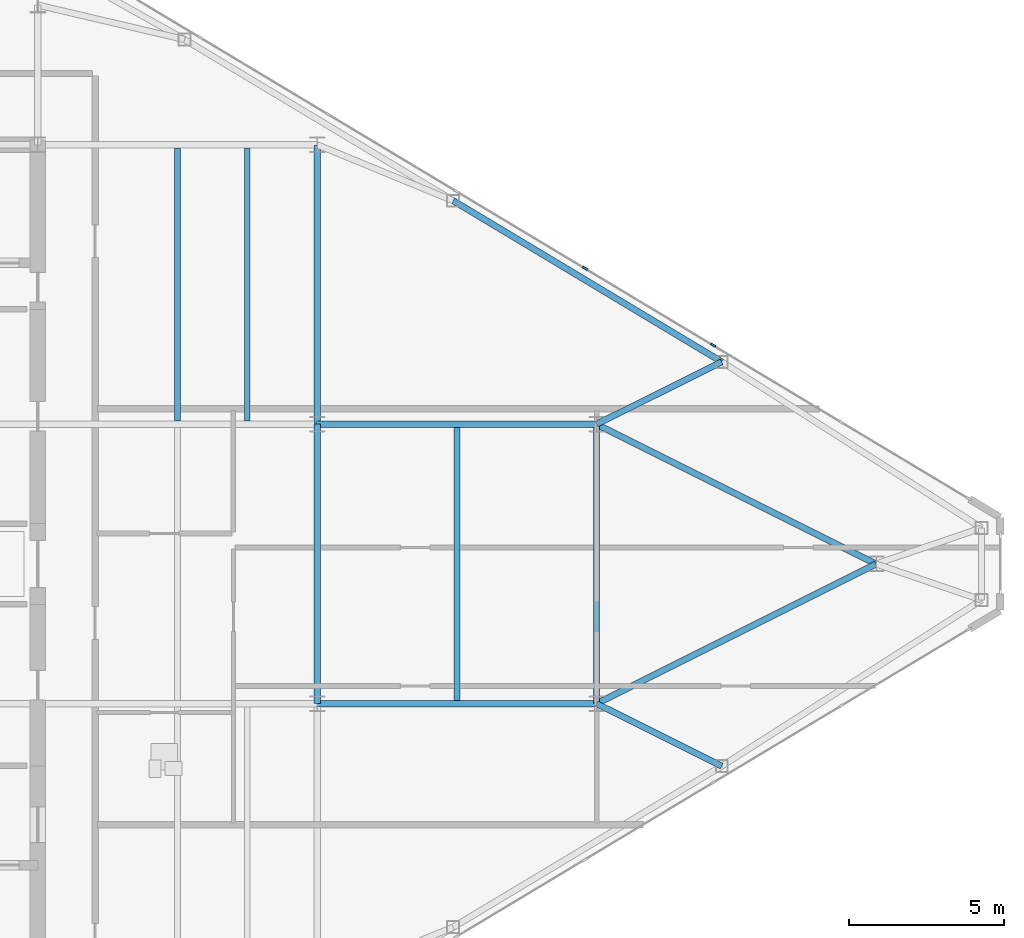
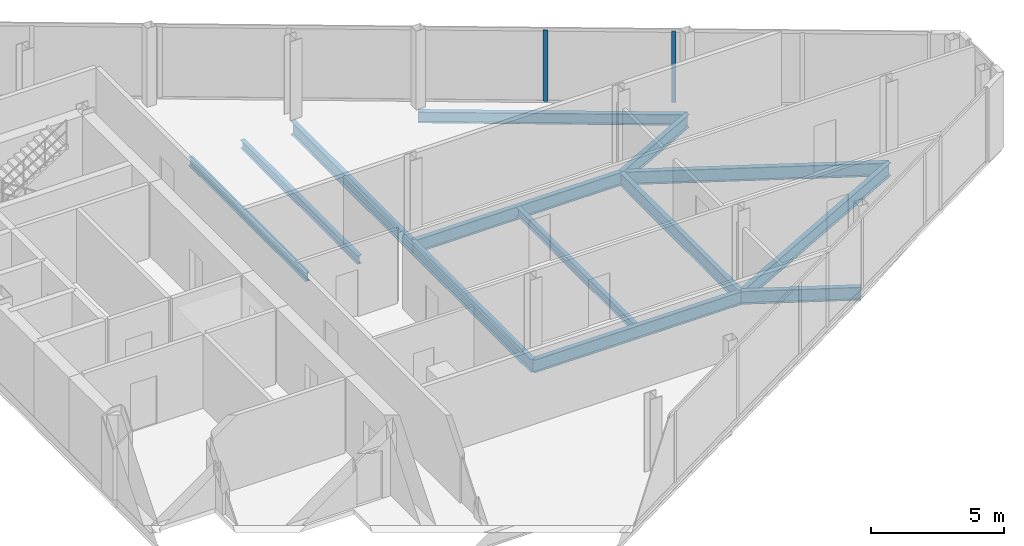
# One storey, part 14 of 25: 13 beams, 2 members, 1 element without a shape of its own.
"""IFC4 building model written with IfcOpenShell, lengths in metres."""

from ifc_helpers import new_model, si_unit, direction, frame, origin, origin_2d, place, context, subcontext, project, spatial, rectangle, i_section, extrude, source, transform, mapped, material, layer, layer_set, material_profile, profile_set, type_object, type_shapes, element, aggregate, save


model = new_model("IFC4")

# Units and contexts
model_context = context("Model", 3, precision=1e-05, world=origin(), true_north=direction((0.0, 1.0)))
body_context = subcontext(model_context, "Body", "Model", "MODEL_VIEW")
ifc_project = project(units=[si_unit("LENGTHUNIT", "METRE"), si_unit("AREAUNIT", "SQUARE_METRE"), si_unit("VOLUMEUNIT", "CUBIC_METRE"), si_unit("PLANEANGLEUNIT", "RADIAN"), si_unit("MASSUNIT", "GRAM", prefix="KILO")], contexts=[model_context])

# Site, building, storey
site_placement = place(None, origin())
site = spatial("IfcSite", under=ifc_project, at=site_placement, CompositionType="ELEMENT")
building_placement = place(site_placement, origin())
building = spatial("IfcBuilding", under=site, at=building_placement, Name="Seokmaru Belvedere", CompositionType="ELEMENT")
storey_placement = place(building_placement, frame((0.0, 0.0, 217.5)))
storey = spatial("IfcBuildingStorey", under=building, at=storey_placement, Name="L58", CompositionType="ELEMENT", Elevation=217.5)

# Beams
ifc_material_1 = material(Name="Steel SM355 (355 MPa)", Category="steel")
ifc_material_profile_1 = material_profile(ifc_material_1, i_section(OverallWidth=0.199951171875, OverallDepth=0.60009765625, WebThickness=0.010986328125, FlangeThickness=0.01708984375, at=origin_2d()), Name="H-600x200x11x17")
ifc_profile_set_1 = profile_set([ifc_material_profile_1], Name="Steel SM355 (355 MPa)")
beam_type_1 = type_object("IfcBeamType", Name="Primary Floor Girder H-600", PredefinedType="BEAM", material=ifc_profile_set_1)
shared_shape_1 = source(origin(), body_context, "Body", "SweptSolid", [
    extrude(i_section(OverallWidth=0.199951171875, OverallDepth=0.60009765625, WebThickness=0.010986328125, FlangeThickness=0.01708984375, at=origin_2d()), origin(), (0.0, 0.0, 1.0), 9.0),
])
for number, where, z_axis, x_axis, name in (
    (1, (45.5, -4.5, -0.52001953125), (0.0, 1.0, 0.0), (-1.0, 0.0, 0.0), "L58 E Interior Grid Girder 2"),
    (2, (45.5, 4.5, -0.52001953125), (0.0, 1.0, 0.0), (-1.0, 0.0, 0.0), "L58 E Interior Grid Girder 3"),
    (3, (45.5, -4.5, -0.52001953125), (1.0, 0.0, 0.0), (0.0, 1.0, 0.0), "L58 E Outer Wing Girder 1"),
    (4, (45.5, 4.5, -0.52001953125), (1.0, 0.0, 0.0), (0.0, 1.0, 0.0), "L58 E Outer Wing Girder 2"),
    (5, (54.5, -4.5, -0.52001953125), (0.0, 1.0, 0.0), (-1.0, 0.0, 0.0), "L58 E Apex Frame Girder"),
):
    element("IfcBeam", number, at=place(storey_placement, frame(where, z_axis=z_axis, x_axis=x_axis)), inside=storey, type_object=beam_type_1, Name=name, PredefinedType="BEAM", context=body_context, shape_type="MappedRepresentation", body=[
        mapped(shared_shape_1, transform((0.0, 0.0, 0.0), scale=1.0)),
    ])
shared_shape_2 = source(origin(), body_context, "Body", "SweptSolid", [
    extrude(i_section(OverallWidth=0.199951171875, OverallDepth=0.60009765625, WebThickness=0.010986328125, FlangeThickness=0.01708984375, at=origin_2d()), origin(), (0.0, 0.0, 1.0), 10.062255859375),
])
for number, where, z_axis, x_axis, name in (
    (6, (54.5, -4.5, -0.52001953125), (0.894427191, 0.4472135955, 0.0), (-0.4472135955, 0.894427191, 0.0), "L58 E Apex Converging Girder 1"),
    (7, (54.5, 4.5, -0.52001953125), (0.894427191, -0.4472135955, 0.0), (0.4472135955, 0.894427191, 0.0), "L58 E Apex Converging Girder 2"),
):
    element("IfcBeam", number, at=place(storey_placement, frame(where, z_axis=z_axis, x_axis=x_axis)), inside=storey, type_object=beam_type_1, Name=name, PredefinedType="BEAM", context=body_context, shape_type="MappedRepresentation", body=[
        mapped(shared_shape_2, transform((0.0, 0.0, 0.0), scale=1.0)),
    ])
ifc_material_profile_2 = material_profile(ifc_material_1, i_section(OverallWidth=0.18505859375, OverallDepth=0.389892578125, WebThickness=0.008056640625, FlangeThickness=0.011962890625, at=origin_2d()), Name="H-390x185x8x12")
ifc_profile_set_2 = profile_set([ifc_material_profile_2], Name="Steel SM355 (355 MPa)")
beam_type_2 = type_object("IfcBeamType", Name="Secondary Floor Joist H-350", PredefinedType="JOIST", material=ifc_profile_set_2)
shared_shape_3 = source(origin(), body_context, "Body", "SweptSolid", [
    extrude(i_section(OverallWidth=0.18505859375, OverallDepth=0.389892578125, WebThickness=0.008056640625, FlangeThickness=0.011962890625, at=origin_2d()), origin(), (0.0, 0.0, 1.0), 8.7900390625),
])
type_shapes(beam_type_2, [shared_shape_3])
for number, where, z_axis, x_axis, name in (
    (8, (43.25, 4.60498046875, -0.4150390625), (0.0, 1.0, 0.0), (-1.0, 0.0, 0.0), "L58 E Wing Inner Secondary Joist 2"),
    (9, (41.0, 4.60498046875, -0.4150390625), (0.0, 1.0, 0.0), (-1.0, 0.0, 0.0), "L58 E Secondary Floor Joist 3"),
    (10, (50.0, -4.39501953125, -0.4150390625), (0.0, 1.0, 0.0), (-1.0, 0.0, 0.0), "L58 E Outer Bay Secondary Joist"),
):
    element("IfcBeam", number, at=place(storey_placement, frame(where, z_axis=z_axis, x_axis=x_axis)), inside=storey, type_object=beam_type_2, Name=name, PredefinedType="JOIST", context=body_context, shape_type="MappedRepresentation", body=[
        mapped(shared_shape_3, transform((0.0, 0.0, 0.0), scale=1.0)),
    ])
ifc_material_profile_3 = material_profile(ifc_material_1, i_section(OverallWidth=0.199951171875, OverallDepth=0.5, WebThickness=0.010009765625, FlangeThickness=0.01611328125, at=origin_2d()), Name="H-500x200x10x16")
ifc_profile_set_3 = profile_set([ifc_material_profile_3], Name="Steel SM355 (355 MPa)")
beam_type_3 = type_object("IfcBeamType", Name="Perimeter Spandrel Beam H-500", PredefinedType="SPANDREL", material=ifc_profile_set_3)
shared_shape_4 = source(origin(), body_context, "Body", "SweptSolid", [
    extrude(i_section(OverallWidth=0.199951171875, OverallDepth=0.5, WebThickness=0.010009765625, FlangeThickness=0.01611328125, at=origin_2d()), origin(), (0.0, 0.0, 1.0), 10.087646484375),
])
type_shapes(beam_type_3, [shared_shape_4])
beam_placement = place(storey_placement, frame((49.8798828125, 11.698974609375, -0.469970703125), z_axis=(0.857488654804, -0.514502873542, 0.0), x_axis=(0.514502873542, 0.857488654804, 0.0)))
element("IfcBeam", 11, at=beam_placement, inside=storey, type_object=beam_type_3, Name="L58 E Faceted Flank Spandrel N-3", PredefinedType="SPANDREL", context=body_context, shape_type="MappedRepresentation", body=[
    mapped(shared_shape_4, transform((0.0, 0.0, 0.0), scale=1.0)),
])
shared_shape_5 = source(origin(), body_context, "Body", "SweptSolid", [
    extrude(i_section(OverallWidth=0.199951171875, OverallDepth=0.60009765625, WebThickness=0.010986328125, FlangeThickness=0.01708984375, at=origin_2d()), origin(), (0.0, 0.0, 1.0), 4.5029296875),
])
type_shapes(beam_type_1, [shared_shape_1, shared_shape_2, shared_shape_5])
for number, where, z_axis, x_axis, name in (
    (12, (58.530029296875, -6.5087890625, -0.52001953125), (-0.894979532585, 0.446107202648, 0.0), (-0.446107202648, -0.894979532585, 0.0), "L58 E Flank Radial Floor Girder S-3"),
    (13, (58.530029296875, 6.5087890625, -0.52001953125), (-0.894979532585, -0.446107202648, 0.0), (0.446107202648, -0.894979532585, 0.0), "L58 E Flank Radial Floor Girder N-3"),
):
    element("IfcBeam", number, at=place(storey_placement, frame(where, z_axis=z_axis, x_axis=x_axis)), inside=storey, type_object=beam_type_1, Name=name, PredefinedType="BEAM", context=body_context, shape_type="MappedRepresentation", body=[
        mapped(shared_shape_5, transform((0.0, 0.0, 0.0), scale=1.0)),
    ])

# Curtain wall, members
ifc_material_2 = material(Name="Bronze Triple Insulating Glass", Category="glass")
ifc_layer = layer(ifc_material_2, 0.179931640625)
ifc_layer_set = layer_set([ifc_layer], Name="Bronze Triple Insulating Glass")
curtain_wall_type = type_object("IfcCurtainWallType", Name="High-Rise Wind-Corner Curtain Wall System CW-5", PredefinedType="NOTDEFINED", material=ifc_layer_set)
curtain_wall_placement = place(storey_placement, origin())
curtain_wall = element("IfcCurtainWall", 14, at=curtain_wall_placement, inside=storey, type_object=curtain_wall_type, Name="L58 Curtain Wall EF3", PredefinedType="NOTDEFINED")
ifc_material_3 = material(Name="Anodised Bronze Aluminium", Category="aluminium")
ifc_material_profile_4 = material_profile(ifc_material_3, rectangle(XDim=0.06494140625, YDim=0.179931640625, at=origin_2d()), Name="CW-M-65x180")
ifc_profile_set_4 = profile_set([ifc_material_profile_4], Name="Anodised Bronze Aluminium")
member_type = type_object("IfcMemberType", Name="Bronze Unitised Mullion 65x180", PredefinedType="MULLION", material=ifc_profile_set_4)
shared_shape_6 = source(origin(), body_context, "Body", "SweptSolid", [
    extrude(rectangle(XDim=0.06494140625, YDim=0.179931640625, at=origin_2d()), origin(), (0.0, 0.0, 1.0), 3.25),
])
type_shapes(member_type, [shared_shape_6])
member_1_placement = place(storey_placement, frame((58.257080078125, 7.0458984375, 0.06494140625), z_axis=(0.0, 0.0, 1.0), x_axis=(-0.514494909364, -0.85749343335, 0.0)))
member_1 = element("IfcMember", 15, at=member_1_placement, type_object=member_type, Name="CW:L58:EF3 Mullion 3", PredefinedType="MULLION", context=body_context, shape_type="MappedRepresentation", body=[
    mapped(shared_shape_6, transform((0.0, 0.0, 0.0), scale=1.0)),
])
member_2_placement = place(storey_placement, frame((54.12841796875, 9.52294921875, 0.06494140625), z_axis=(0.0, 0.0, 1.0), x_axis=(-0.514494909364, -0.85749343335, 0.0)))
member_2 = element("IfcMember", 16, at=member_2_placement, type_object=member_type, Name="CW:L58:EF3 Mullion 4", PredefinedType="MULLION", context=body_context, shape_type="MappedRepresentation", body=[
    mapped(shared_shape_6, transform((0.0, 0.0, 0.0), scale=1.0)),
])
aggregate(curtain_wall, [member_1, member_2])

save(model, "model.ifc")
